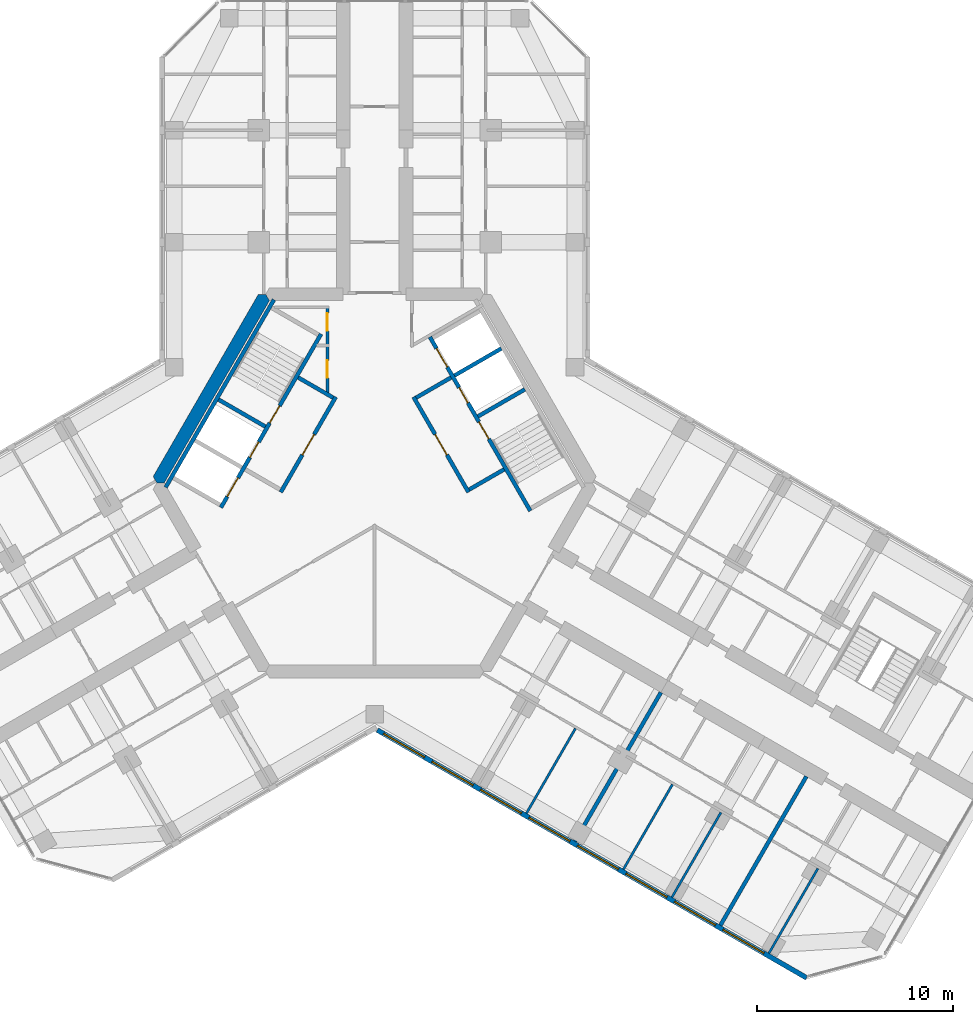
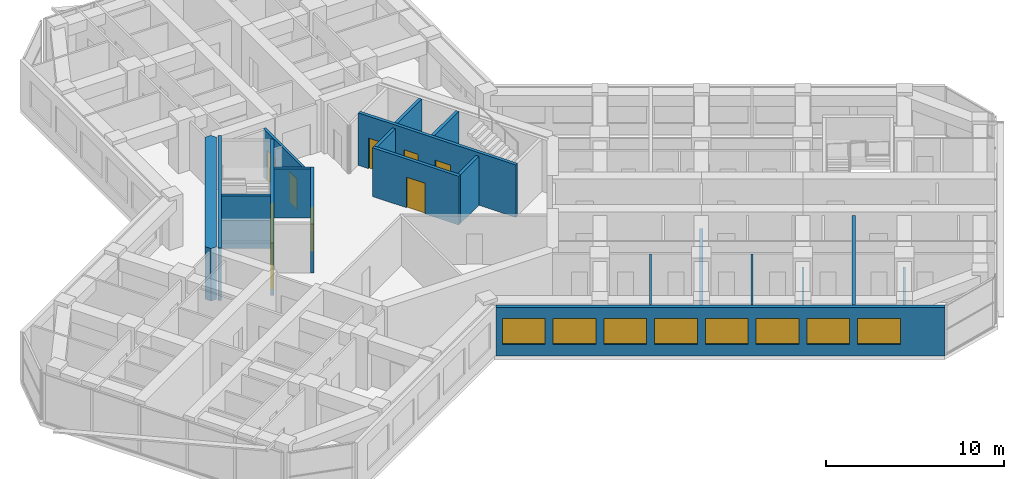
# One storey, part 10 of 16: 20 walls, 10 doors, 8 windows, 18 openings.
"""IFC4 building model written with IfcOpenShell, lengths in metres."""

from ifc_helpers import new_model, si_unit, direction, frame, frame_2d, origin, place, context, subcontext, project, spatial, polyline, rectangle, outline, extrude, material, layer, layer_set, type_object, element, fill, save


model = new_model("IFC4")

# Units and contexts
model_context = context("Model", 3, precision=1e-05, world=origin(), true_north=direction((0.0, 1.0)))
body_context = subcontext(model_context, "Body", "Model", "MODEL_VIEW")
ifc_project = project(units=[si_unit("LENGTHUNIT", "METRE"), si_unit("AREAUNIT", "SQUARE_METRE"), si_unit("VOLUMEUNIT", "CUBIC_METRE"), si_unit("PLANEANGLEUNIT", "RADIAN"), si_unit("MASSUNIT", "GRAM", prefix="KILO")], contexts=[model_context])

# Site, building, storey
site_placement = place(None, origin())
site = spatial("IfcSite", under=ifc_project, at=site_placement, CompositionType="ELEMENT")
building_placement = place(site_placement, origin())
building = spatial("IfcBuilding", under=site, at=building_placement, Name="Kosmar Iwan School Tower", CompositionType="ELEMENT")
storey_placement = place(building_placement, frame((0.0, 0.0, 201.0)))
storey = spatial("IfcBuildingStorey", under=building, at=storey_placement, Name="L50", CompositionType="ELEMENT", Elevation=201.0)

# Wall, openings, doors
ifc_material_1 = material(Name="Gypsum board on steel studs, fire-rated", Category="steel")
ifc_layer_1 = layer(ifc_material_1, 0.14990234375)
ifc_layer_set_1 = layer_set([ifc_layer_1], Name="Core room partition 150")
wall_type_1 = type_object("IfcWallType", Name="Core room partition 150", PredefinedType="PARTITIONING", material=ifc_layer_set_1)
wall_1_placement = place(storey_placement, frame((-2.39990234375, 9.014892578125, 0.0), z_axis=(0.0, 0.0, 1.0), x_axis=(0.0, -1.0, 0.0)))
wall_1 = element("IfcWall", 1, at=wall_1_placement, inside=storey, type_object=wall_type_1, Name="Core room partition L50-CW1", PredefinedType="PARTITIONING", context=body_context, shape_type="SweptSolid", body=[
    extrude(rectangle(XDim=4.484130859375, YDim=0.14990234375, at=frame_2d((2.2421875, 0.0))), origin(), (0.0, 0.0, 1.0), 3.35009765625),
])
opening_1_placement = place(wall_1_placement, frame((0.375, 0.0, 0.0)))
opening_1 = element("IfcOpeningElement", 2, at=opening_1_placement, cuts=wall_1, Name="Opening D14", PredefinedType="OPENING", context=body_context, shape_type="SweptSolid", body=[
    extrude(rectangle(XDim=0.89990234375, YDim=2.10009765625, at=frame_2d((0.449951171875, 1.050048828125))), frame((0.0, 0.0869140625, 0.0), z_axis=(0.0, -1.0, 0.0), x_axis=(1.0, 0.0, 0.0)), (0.0, 0.0, 1.0), 0.173828125),
])
opening_2_placement = place(wall_1_placement, frame((2.77490234375, 0.0, 0.0)))
opening_2 = element("IfcOpeningElement", 3, at=opening_2_placement, cuts=wall_1, Name="Opening D14", PredefinedType="OPENING", context=body_context, shape_type="SweptSolid", body=[
    extrude(rectangle(XDim=0.89990234375, YDim=2.10009765625, at=frame_2d((0.449951171875, 1.050048828125))), frame((0.0, 0.0869140625, 0.0), z_axis=(0.0, -1.0, 0.0), x_axis=(1.0, 0.0, 0.0)), (0.0, 0.0, 1.0), 0.173828125),
])
ifc_material_2 = material(Name="Timber fire door in steel frame", Category="steel")
door_type_1 = type_object("IfcDoorType", Name="Core room door 900x2100", OperationType="SINGLE_SWING_LEFT", PredefinedType="DOOR", material=ifc_material_2)
door_1_placement = place(opening_1_placement, origin())
door_1 = element("IfcDoor", 4, at=door_1_placement, inside=storey, type_object=door_type_1, Name="Electrical riser and switch room door L50 1", OperationType="SINGLE_SWING_LEFT", OverallHeight=2.10009765625, OverallWidth=0.89990234375, PredefinedType="DOOR", context=body_context, shape_type="SweptSolid", body=[
    extrude(rectangle(XDim=0.89990234375, YDim=2.10009765625, at=frame_2d((0.449951171875, 1.050048828125))), frame((0.0, 0.02490234375, 0.0), z_axis=(0.0, -1.0, 0.0), x_axis=(1.0, 0.0, 0.0)), (0.0, 0.0, 1.0), 0.050048828125),
])
fill(opening_1, door_1)
door_2_placement = place(opening_2_placement, origin())
door_2 = element("IfcDoor", 5, at=door_2_placement, inside=storey, type_object=door_type_1, Name="Plumbing and wet riser door L50 2", OperationType="SINGLE_SWING_RIGHT", OverallHeight=2.10009765625, OverallWidth=0.89990234375, PredefinedType="DOOR", context=body_context, shape_type="SweptSolid", body=[
    extrude(rectangle(XDim=0.89990234375, YDim=2.10009765625, at=frame_2d((0.449951171875, 1.050048828125))), frame((0.0, 0.02490234375, 0.0), z_axis=(0.0, -1.0, 0.0), x_axis=(1.0, 0.0, 0.0)), (0.0, 0.0, 1.0), 0.050048828125),
])
fill(opening_2, door_2)

# Walls
ifc_material_3 = material(Name="Concrete C50/60", Category="concrete")
ifc_layer_2 = layer(ifc_material_3, 0.64990234375)
ifc_layer_set_2 = layer_set([ifc_layer_2], Name="Core wall 650")
wall_type_2 = type_object("IfcWallType", Name="Core wall 650", PredefinedType="SHEAR", material=ifc_layer_set_2)
wall_2_placement = place(storey_placement, origin())
element("IfcWall", 6, at=wall_2_placement, inside=storey, type_object=wall_type_2, Name="Core wall F150", PredefinedType="SHEAR", context=body_context, shape_type="SweptSolid", body=[
    extrude(outline(polyline([(-11.085205078125, 0.0), (-10.7099609375, 0.0), (-5.35498046875, 9.27490234375), (-5.54248046875, 9.60009765625), (-5.917724609375, 9.60009765625), (-11.272705078125, 0.324951171875), (-11.085205078125, 0.0)])), origin(), (0.0, 0.0, 1.0), 3.60009765625),
])
ifc_material_4 = material(Name="Gypsum board on steel studs", Category="steel")
ifc_layer_3 = layer(ifc_material_4, 0.1201171875)
ifc_layer_set_3 = layer_set([ifc_layer_3], Name="Dwelling partition 120")
wall_type_3 = type_object("IfcWallType", Name="Dwelling partition 120", PredefinedType="PARTITIONING", material=ifc_layer_set_3)
wall_3_placement = place(storey_placement, frame((10.221923828125, -12.4951171875, 0.0), z_axis=(0.0, 0.0, 1.0), x_axis=(-0.499996339024, -0.86602751744, 0.0)))
element("IfcWall", 7, at=wall_3_placement, inside=storey, type_object=wall_type_3, Name="Partition L50-CR1-X2", PredefinedType="PARTITIONING", context=body_context, shape_type="SweptSolid", body=[
    extrude(rectangle(XDim=4.98974609375, YDim=0.1201171875, at=frame_2d((2.494873046875, 0.0))), origin(), (0.0, 0.0, 1.0), 3.35009765625),
])
wall_4_placement = place(storey_placement, frame((15.158447265625, -15.344970703125, 0.0), z_axis=(0.0, 0.0, 1.0), x_axis=(-0.500011847778, -0.866018563358, 0.0)))
element("IfcWall", 8, at=wall_4_placement, inside=storey, type_object=wall_type_3, Name="Partition L50-CR2-X1", PredefinedType="PARTITIONING", context=body_context, shape_type="SweptSolid", body=[
    extrude(rectangle(XDim=4.990234375, YDim=0.1201171875, at=frame_2d((2.4951171875, 0.0))), origin(), (0.0, 0.0, 1.0), 3.35009765625),
])
wall_5_placement = place(storey_placement, frame((17.62646484375, -16.77001953125, 0.0), z_axis=(0.0, 0.0, 1.0), x_axis=(-0.499975153383, -0.86603974851, 0.0)))
element("IfcWall", 9, at=wall_5_placement, inside=storey, type_object=wall_type_3, Name="Partition L50-CR2-X2", PredefinedType="PARTITIONING", context=body_context, shape_type="SweptSolid", body=[
    extrude(rectangle(XDim=4.989990234375, YDim=0.1201171875, at=frame_2d((2.4951171875, 0.0))), origin(), (0.0, 0.0, 1.0), 2.449951171875),
])
wall_6_placement = place(storey_placement, frame((22.562744140625, -19.6201171875, 0.0), z_axis=(0.0, 0.0, 1.0), x_axis=(-0.499996339024, -0.86602751744, 0.0)))
element("IfcWall", 10, at=wall_6_placement, inside=storey, type_object=wall_type_3, Name="Partition L50-CR3-X1", PredefinedType="PARTITIONING", context=body_context, shape_type="SweptSolid", body=[
    extrude(rectangle(XDim=4.98974609375, YDim=0.1201171875, at=frame_2d((2.494873046875, 0.0))), origin(), (0.0, 0.0, 1.0), 2.449951171875),
])

# Wall, openings, windows
ifc_material_5 = material(Name="Black aluminium rainscreen on insulated framing", Category="aluminium")
ifc_layer_4 = layer(ifc_material_5, 0.25)
ifc_layer_set_4 = layer_set([ifc_layer_4], Name="External wall rainscreen 250")
wall_type_4 = type_object("IfcWallType", Name="External wall rainscreen 250", PredefinedType="SOLIDWALL", material=ifc_layer_set_4)
wall_7_placement = place(storey_placement, frame((0.137939453125, -12.5791015625, 0.0), z_axis=(0.0, 0.0, 1.0), x_axis=(0.866023775649, -0.500002820003, 0.0)))
wall_7 = element("IfcWall", 11, at=wall_7_placement, inside=storey, type_object=wall_type_4, Name="External wall CR L50", PredefinedType="SOLIDWALL", context=body_context, shape_type="SweptSolid", body=[
    extrude(rectangle(XDim=25.226318359375, YDim=0.25, at=frame_2d((12.61328125, 0.0))), origin(), (0.0, 0.0, 1.0), 3.35009765625),
])
opening_3_placement = place(wall_7_placement, frame((0.365966796875, 0.0, 0.800048828125)))
opening_3 = element("IfcOpeningElement", 12, at=opening_3_placement, cuts=wall_7, Name="Opening W5", PredefinedType="OPENING", context=body_context, shape_type="SweptSolid", body=[
    extrude(rectangle(XDim=2.39990234375, YDim=1.800048828125, at=frame_2d((1.199951171875, 0.89990234375))), frame((0.0, 0.136962890625, 0.0), z_axis=(0.0, -1.0, 0.0), x_axis=(1.0, 0.0, 0.0)), (0.0, 0.0, 1.0), 0.27392578125),
])
opening_4_placement = place(wall_7_placement, frame((3.216064453125, 0.0, 0.800048828125)))
opening_4 = element("IfcOpeningElement", 13, at=opening_4_placement, cuts=wall_7, Name="Opening W5", PredefinedType="OPENING", context=body_context, shape_type="SweptSolid", body=[
    extrude(rectangle(XDim=2.39990234375, YDim=1.800048828125, at=frame_2d((1.199951171875, 0.89990234375))), frame((0.0, 0.136962890625, 0.0), z_axis=(0.0, -1.0, 0.0), x_axis=(1.0, 0.0, 0.0)), (0.0, 0.0, 1.0), 0.27392578125),
])
opening_5_placement = place(wall_7_placement, frame((6.06591796875, 0.0, 0.800048828125)))
opening_5 = element("IfcOpeningElement", 14, at=opening_5_placement, cuts=wall_7, Name="Opening W5", PredefinedType="OPENING", context=body_context, shape_type="SweptSolid", body=[
    extrude(rectangle(XDim=2.39990234375, YDim=1.800048828125, at=frame_2d((1.199951171875, 0.89990234375))), frame((0.0, 0.136962890625, 0.0), z_axis=(0.0, -1.0, 0.0), x_axis=(1.0, 0.0, 0.0)), (0.0, 0.0, 1.0), 0.27392578125),
])
opening_6_placement = place(wall_7_placement, frame((8.916015625, 0.0, 0.800048828125)))
opening_6 = element("IfcOpeningElement", 15, at=opening_6_placement, cuts=wall_7, Name="Opening W5", PredefinedType="OPENING", context=body_context, shape_type="SweptSolid", body=[
    extrude(rectangle(XDim=2.39990234375, YDim=1.800048828125, at=frame_2d((1.199951171875, 0.89990234375))), frame((0.0, 0.136962890625, 0.0), z_axis=(0.0, -1.0, 0.0), x_axis=(1.0, 0.0, 0.0)), (0.0, 0.0, 1.0), 0.27392578125),
])
opening_7_placement = place(wall_7_placement, frame((11.76611328125, 0.0, 0.800048828125)))
opening_7 = element("IfcOpeningElement", 16, at=opening_7_placement, cuts=wall_7, Name="Opening W5", PredefinedType="OPENING", context=body_context, shape_type="SweptSolid", body=[
    extrude(rectangle(XDim=2.39990234375, YDim=1.800048828125, at=frame_2d((1.199951171875, 0.89990234375))), frame((0.0, 0.136962890625, 0.0), z_axis=(0.0, -1.0, 0.0), x_axis=(1.0, 0.0, 0.0)), (0.0, 0.0, 1.0), 0.27392578125),
])
opening_8_placement = place(wall_7_placement, frame((14.615966796875, 0.0, 0.800048828125)))
opening_8 = element("IfcOpeningElement", 17, at=opening_8_placement, cuts=wall_7, Name="Opening W5", PredefinedType="OPENING", context=body_context, shape_type="SweptSolid", body=[
    extrude(rectangle(XDim=2.39990234375, YDim=1.800048828125, at=frame_2d((1.199951171875, 0.89990234375))), frame((0.0, 0.136962890625, 0.0), z_axis=(0.0, -1.0, 0.0), x_axis=(1.0, 0.0, 0.0)), (0.0, 0.0, 1.0), 0.27392578125),
])
opening_9_placement = place(wall_7_placement, frame((17.466064453125, 0.0, 0.800048828125)))
opening_9 = element("IfcOpeningElement", 18, at=opening_9_placement, cuts=wall_7, Name="Opening W5", PredefinedType="OPENING", context=body_context, shape_type="SweptSolid", body=[
    extrude(rectangle(XDim=2.39990234375, YDim=1.800048828125, at=frame_2d((1.199951171875, 0.89990234375))), frame((0.0, 0.136962890625, 0.0), z_axis=(0.0, -1.0, 0.0), x_axis=(1.0, 0.0, 0.0)), (0.0, 0.0, 1.0), 0.27392578125),
])
opening_10_placement = place(wall_7_placement, frame((20.31591796875, 0.0, 0.800048828125)))
opening_10 = element("IfcOpeningElement", 19, at=opening_10_placement, cuts=wall_7, Name="Opening W5", PredefinedType="OPENING", context=body_context, shape_type="SweptSolid", body=[
    extrude(rectangle(XDim=2.39990234375, YDim=1.800048828125, at=frame_2d((1.199951171875, 0.89990234375))), frame((0.0, 0.136962890625, 0.0), z_axis=(0.0, -1.0, 0.0), x_axis=(1.0, 0.0, 0.0)), (0.0, 0.0, 1.0), 0.27392578125),
])
ifc_material_6 = material(Name="Black aluminium frame with dark triple glazing", Category="aluminium")
window_type = type_object("IfcWindowType", Name="Window 2400x1800", PartitioningType="SINGLE_PANEL", PredefinedType="WINDOW", material=ifc_material_6)
window_1_placement = place(opening_3_placement, origin())
window_1 = element("IfcWindow", 20, at=window_1_placement, inside=storey, type_object=window_type, Name="Window CR L50 -1", OverallHeight=1.800048828125, OverallWidth=2.39990234375, PartitioningType="SINGLE_PANEL", PredefinedType="WINDOW", context=body_context, shape_type="SweptSolid", body=[
    extrude(rectangle(XDim=2.39990234375, YDim=1.800048828125, at=frame_2d((1.199951171875, 0.89990234375))), frame((0.0, 0.030029296875, 0.0), z_axis=(0.0, -1.0, 0.0), x_axis=(1.0, 0.0, 0.0)), (0.0, 0.0, 1.0), 0.06005859375),
])
fill(opening_3, window_1)
window_2_placement = place(opening_4_placement, origin())
window_2 = element("IfcWindow", 21, at=window_2_placement, inside=storey, type_object=window_type, Name="Window CR L50 0", OverallHeight=1.800048828125, OverallWidth=2.39990234375, PartitioningType="SINGLE_PANEL", PredefinedType="WINDOW", context=body_context, shape_type="SweptSolid", body=[
    extrude(rectangle(XDim=2.39990234375, YDim=1.800048828125, at=frame_2d((1.199951171875, 0.89990234375))), frame((0.0, 0.030029296875, 0.0), z_axis=(0.0, -1.0, 0.0), x_axis=(1.0, 0.0, 0.0)), (0.0, 0.0, 1.0), 0.06005859375),
])
fill(opening_4, window_2)
window_3_placement = place(opening_5_placement, origin())
window_3 = element("IfcWindow", 22, at=window_3_placement, inside=storey, type_object=window_type, Name="Window CR L50 1", OverallHeight=1.800048828125, OverallWidth=2.39990234375, PartitioningType="SINGLE_PANEL", PredefinedType="WINDOW", context=body_context, shape_type="SweptSolid", body=[
    extrude(rectangle(XDim=2.39990234375, YDim=1.800048828125, at=frame_2d((1.199951171875, 0.89990234375))), frame((0.0, 0.030029296875, 0.0), z_axis=(0.0, -1.0, 0.0), x_axis=(1.0, 0.0, 0.0)), (0.0, 0.0, 1.0), 0.06005859375),
])
fill(opening_5, window_3)
window_4_placement = place(opening_6_placement, origin())
window_4 = element("IfcWindow", 23, at=window_4_placement, inside=storey, type_object=window_type, Name="Window CR L50 2", OverallHeight=1.800048828125, OverallWidth=2.39990234375, PartitioningType="SINGLE_PANEL", PredefinedType="WINDOW", context=body_context, shape_type="SweptSolid", body=[
    extrude(rectangle(XDim=2.39990234375, YDim=1.800048828125, at=frame_2d((1.199951171875, 0.89990234375))), frame((0.0, 0.030029296875, 0.0), z_axis=(0.0, -1.0, 0.0), x_axis=(1.0, 0.0, 0.0)), (0.0, 0.0, 1.0), 0.06005859375),
])
fill(opening_6, window_4)
window_5_placement = place(opening_7_placement, origin())
window_5 = element("IfcWindow", 24, at=window_5_placement, inside=storey, type_object=window_type, Name="Window CR L50 3", OverallHeight=1.800048828125, OverallWidth=2.39990234375, PartitioningType="SINGLE_PANEL", PredefinedType="WINDOW", context=body_context, shape_type="SweptSolid", body=[
    extrude(rectangle(XDim=2.39990234375, YDim=1.800048828125, at=frame_2d((1.199951171875, 0.89990234375))), frame((0.0, 0.030029296875, 0.0), z_axis=(0.0, -1.0, 0.0), x_axis=(1.0, 0.0, 0.0)), (0.0, 0.0, 1.0), 0.06005859375),
])
fill(opening_7, window_5)
window_6_placement = place(opening_8_placement, origin())
window_6 = element("IfcWindow", 25, at=window_6_placement, inside=storey, type_object=window_type, Name="Window CR L50 4", OverallHeight=1.800048828125, OverallWidth=2.39990234375, PartitioningType="SINGLE_PANEL", PredefinedType="WINDOW", context=body_context, shape_type="SweptSolid", body=[
    extrude(rectangle(XDim=2.39990234375, YDim=1.800048828125, at=frame_2d((1.199951171875, 0.89990234375))), frame((0.0, 0.030029296875, 0.0), z_axis=(0.0, -1.0, 0.0), x_axis=(1.0, 0.0, 0.0)), (0.0, 0.0, 1.0), 0.06005859375),
])
fill(opening_8, window_6)
window_7_placement = place(opening_9_placement, origin())
window_7 = element("IfcWindow", 26, at=window_7_placement, inside=storey, type_object=window_type, Name="Window CR L50 5", OverallHeight=1.800048828125, OverallWidth=2.39990234375, PartitioningType="SINGLE_PANEL", PredefinedType="WINDOW", context=body_context, shape_type="SweptSolid", body=[
    extrude(rectangle(XDim=2.39990234375, YDim=1.800048828125, at=frame_2d((1.199951171875, 0.89990234375))), frame((0.0, 0.030029296875, 0.0), z_axis=(0.0, -1.0, 0.0), x_axis=(1.0, 0.0, 0.0)), (0.0, 0.0, 1.0), 0.06005859375),
])
fill(opening_9, window_7)
window_8_placement = place(opening_10_placement, origin())
window_8 = element("IfcWindow", 27, at=window_8_placement, inside=storey, type_object=window_type, Name="Window CR L50 6", OverallHeight=1.800048828125, OverallWidth=2.39990234375, PartitioningType="SINGLE_PANEL", PredefinedType="WINDOW", context=body_context, shape_type="SweptSolid", body=[
    extrude(rectangle(XDim=2.39990234375, YDim=1.800048828125, at=frame_2d((1.199951171875, 0.89990234375))), frame((0.0, 0.030029296875, 0.0), z_axis=(0.0, -1.0, 0.0), x_axis=(1.0, 0.0, 0.0)), (0.0, 0.0, 1.0), 0.06005859375),
])
fill(opening_10, window_8)

# Wall, opening, door
ifc_material_7 = material(Name="Concrete block masonry", Category="masonry")
ifc_layer_5 = layer(ifc_material_7, 0.199951171875)
ifc_layer_set_5 = layer_set([ifc_layer_5], Name="Fire lobby wall 200")
wall_type_5 = type_object("IfcWallType", Name="Fire lobby wall 200", PredefinedType="PARTITIONING", material=ifc_layer_set_5)
wall_8_placement = place(storey_placement, frame((-1.9775390625, 4.374755859375, 0.0), z_axis=(0.0, 0.0, 1.0), x_axis=(-0.500016814911, -0.866015695474, 0.0)))
wall_8 = element("IfcWall", 28, at=wall_8_placement, inside=storey, type_object=wall_type_5, Name="Firefighting lobby wall ST2", PredefinedType="PARTITIONING", context=body_context, shape_type="SweptSolid", body=[
    extrude(rectangle(XDim=5.599853515625, YDim=0.199951171875, at=frame_2d((2.7998046875, 0.0))), origin(), (0.0, 0.0, 1.0), 3.35009765625),
])
opening_11_placement = place(wall_8_placement, frame((2.199951171875, 0.0, 0.0)))
opening_11 = element("IfcOpeningElement", 29, at=opening_11_placement, cuts=wall_8, Name="Opening D7", PredefinedType="OPENING", context=body_context, shape_type="SweptSolid", body=[
    extrude(rectangle(XDim=1.199951171875, YDim=2.10009765625, at=frame_2d((0.60009765625, 1.050048828125))), frame((0.0, 0.112060546875, 0.0), z_axis=(0.0, -1.0, 0.0), x_axis=(1.0, 0.0, 0.0)), (0.0, 0.0, 1.0), 0.223876953125),
])
ifc_material_8 = material(Name="Steel fire door", Category="steel")
door_type_2 = type_object("IfcDoorType", Name="Fire lobby door 1200x2100", OperationType="SINGLE_SWING_LEFT", PredefinedType="DOOR", material=ifc_material_8)
door_3_placement = place(opening_11_placement, origin())
door_3 = element("IfcDoor", 30, at=door_3_placement, inside=storey, type_object=door_type_2, Name="Firefighting lobby door ST2 L50", OperationType="SINGLE_SWING_RIGHT", OverallHeight=2.10009765625, OverallWidth=1.199951171875, PredefinedType="DOOR", context=body_context, shape_type="SweptSolid", body=[
    extrude(rectangle(XDim=1.199951171875, YDim=2.10009765625, at=frame_2d((0.60009765625, 1.050048828125))), frame((0.0, 0.02490234375, 0.0), z_axis=(0.0, -1.0, 0.0), x_axis=(1.0, 0.0, 0.0)), (0.0, 0.0, 1.0), 0.050048828125),
])
fill(opening_11, door_3)

# Wall
wall_9_placement = place(storey_placement, frame((-2.114013671875, 4.33837890625, 0.0), z_axis=(0.0, 0.0, 1.0), x_axis=(-0.866050731258, 0.499956128963, 0.0)))
element("IfcWall", 31, at=wall_9_placement, inside=storey, type_object=wall_type_5, Name="Firefighting lobby wall ST2", PredefinedType="PARTITIONING", context=body_context, shape_type="SweptSolid", body=[
    extrude(rectangle(XDim=2.050048828125, YDim=0.199951171875, at=frame_2d((1.02490234375, 0.0))), origin(), (0.0, 0.0, 1.0), 3.35009765625),
])

# Wall, opening, door
wall_10_placement = place(storey_placement, frame((4.777587890625, -0.474853515625, 0.0), z_axis=(0.0, 0.0, 1.0), x_axis=(-0.500016814911, 0.866015695474, 0.0)))
wall_10 = element("IfcWall", 32, at=wall_10_placement, inside=storey, type_object=wall_type_5, Name="Firefighting lobby wall ST1", PredefinedType="PARTITIONING", context=body_context, shape_type="SweptSolid", body=[
    extrude(rectangle(XDim=5.599853515625, YDim=0.199951171875, at=frame_2d((2.7998046875, 0.0))), origin(), (0.0, 0.0, 1.0), 3.35009765625),
])
opening_12_placement = place(wall_10_placement, frame((2.199951171875, 0.0, 0.0)))
opening_12 = element("IfcOpeningElement", 33, at=opening_12_placement, cuts=wall_10, Name="Opening D7", PredefinedType="OPENING", context=body_context, shape_type="SweptSolid", body=[
    extrude(rectangle(XDim=1.199951171875, YDim=2.10009765625, at=frame_2d((0.60009765625, 1.050048828125))), frame((0.0, 0.112060546875, 0.0), z_axis=(0.0, -1.0, 0.0), x_axis=(1.0, 0.0, 0.0)), (0.0, 0.0, 1.0), 0.223876953125),
])
door_4_placement = place(opening_12_placement, origin())
door_4 = element("IfcDoor", 34, at=door_4_placement, inside=storey, type_object=door_type_2, Name="Firefighting lobby door ST1 L50", OperationType="SINGLE_SWING_RIGHT", OverallHeight=2.10009765625, OverallWidth=1.199951171875, PredefinedType="DOOR", context=body_context, shape_type="SweptSolid", body=[
    extrude(rectangle(XDim=1.199951171875, YDim=2.10009765625, at=frame_2d((0.60009765625, 1.050048828125))), frame((0.0, 0.02490234375, 0.0), z_axis=(0.0, -1.0, 0.0), x_axis=(1.0, 0.0, 0.0)), (0.0, 0.0, 1.0), 0.050048828125),
])
fill(opening_12, door_4)

# Walls
wall_11_placement = place(storey_placement, frame((4.814208984375, -0.33837890625, 0.0), z_axis=(0.0, 0.0, 1.0), x_axis=(0.865969381856, 0.500097020274, 0.0)))
element("IfcWall", 35, at=wall_11_placement, inside=storey, type_object=wall_type_5, Name="Firefighting lobby wall ST1", PredefinedType="PARTITIONING", context=body_context, shape_type="SweptSolid", body=[
    extrude(rectangle(XDim=2.0498046875, YDim=0.199951171875, at=frame_2d((1.02490234375, 0.0))), origin(), (0.0, 0.0, 1.0), 3.35009765625),
])
wall_12_placement = place(storey_placement, frame((2.114013671875, 4.33837890625, 0.0), z_axis=(0.0, 0.0, 1.0), x_axis=(0.866050731258, 0.499956128963, 0.0)))
element("IfcWall", 36, at=wall_12_placement, inside=storey, type_object=wall_type_5, Name="Firefighting lobby wall ST1", PredefinedType="PARTITIONING", context=body_context, shape_type="SweptSolid", body=[
    extrude(rectangle(XDim=2.050048828125, YDim=0.199951171875, at=frame_2d((1.02490234375, 0.0))), origin(), (0.0, 0.0, 1.0), 3.35009765625),
])

# Wall, openings, doors
ifc_material_9 = material(Name="Concrete C50/60", Category="concrete")
ifc_layer_6 = layer(ifc_material_9, 0.199951171875)
ifc_layer_set_6 = layer_set([ifc_layer_6], Name="Lift shaft wall 200")
wall_type_6 = type_object("IfcWallType", Name="Lift shaft wall 200", PredefinedType="SHEAR", material=ifc_layer_set_6)
wall_13_placement = place(storey_placement, frame((-2.72607421875, 7.578369140625, 0.0), z_axis=(0.0, 0.0, 1.0), x_axis=(-0.500005610874, -0.86602216432, 0.0)))
wall_13 = element("IfcWall", 37, at=wall_13_placement, inside=storey, type_object=wall_type_6, Name="Lift and stair front wall AB", PredefinedType="SHEAR", context=body_context, shape_type="SweptSolid", body=[
    extrude(rectangle(XDim=10.2001953125, YDim=0.199951171875, at=frame_2d((5.10009765625, 0.0))), origin(), (0.0, 0.0, 1.0), 3.60009765625),
])
opening_13_placement = place(wall_13_placement, frame((6.35009765625, 0.0, 0.0)))
opening_13 = element("IfcOpeningElement", 38, at=opening_13_placement, cuts=wall_13, Name="Opening LD2", PredefinedType="OPENING", context=body_context, shape_type="SweptSolid", body=[
    extrude(rectangle(XDim=0.89990234375, YDim=2.10009765625, at=frame_2d((0.449951171875, 1.050048828125))), frame((0.0, 0.112060546875, 0.0), z_axis=(0.0, -1.0, 0.0), x_axis=(1.0, 0.0, 0.0)), (0.0, 0.0, 1.0), 0.223876953125),
])
opening_14_placement = place(wall_13_placement, frame((8.449951171875, 0.0, 0.0)))
opening_14 = element("IfcOpeningElement", 39, at=opening_14_placement, cuts=wall_13, Name="Opening LD1", PredefinedType="OPENING", context=body_context, shape_type="SweptSolid", body=[
    extrude(rectangle(XDim=1.10009765625, YDim=2.10009765625, at=frame_2d((0.550048828125, 1.050048828125))), frame((0.0, 0.112060546875, 0.0), z_axis=(0.0, -1.0, 0.0), x_axis=(1.0, 0.0, 0.0)), (0.0, 0.0, 1.0), 0.223876953125),
])
opening_15_placement = place(wall_13_placement, frame((4.22998046875, 0.0, 0.0)))
opening_15 = element("IfcOpeningElement", 40, at=opening_15_placement, cuts=wall_13, Name="Opening D6", PredefinedType="OPENING", context=body_context, shape_type="SweptSolid", body=[
    extrude(rectangle(XDim=1.0, YDim=2.10009765625, at=frame_2d((0.5, 1.050048828125))), frame((0.0, 0.112060546875, 0.0), z_axis=(0.0, -1.0, 0.0), x_axis=(1.0, 0.0, 0.0)), (0.0, 0.0, 1.0), 0.223876953125),
])
ifc_material_10 = material(Name="Stainless steel sliding lift door", Category="steel")
door_type_3 = type_object("IfcDoorType", Name="Firefighting lift landing door 900x2100", OperationType="SLIDING_TO_LEFT", PredefinedType="DOOR", material=ifc_material_10)
door_5_placement = place(opening_13_placement, origin())
door_5 = element("IfcDoor", 41, at=door_5_placement, inside=storey, type_object=door_type_3, Name="Lift FF2 landing door L50", OperationType="SLIDING_TO_LEFT", OverallHeight=2.10009765625, OverallWidth=0.89990234375, PredefinedType="DOOR", context=body_context, shape_type="SweptSolid", body=[
    extrude(rectangle(XDim=0.89990234375, YDim=2.10009765625, at=frame_2d((0.449951171875, 1.050048828125))), frame((0.0, 0.02490234375, 0.0), z_axis=(0.0, -1.0, 0.0), x_axis=(1.0, 0.0, 0.0)), (0.0, 0.0, 1.0), 0.050048828125),
])
fill(opening_13, door_5)
ifc_material_11 = material(Name="Stainless steel sliding lift door", Category="steel")
door_type_4 = type_object("IfcDoorType", Name="Lift landing door 1100x2100", OperationType="SLIDING_TO_LEFT", PredefinedType="DOOR", material=ifc_material_11)
door_6_placement = place(opening_14_placement, origin())
door_6 = element("IfcDoor", 42, at=door_6_placement, inside=storey, type_object=door_type_4, Name="Lift PL6 landing door L50", OperationType="SLIDING_TO_LEFT", OverallHeight=2.10009765625, OverallWidth=1.10009765625, PredefinedType="DOOR", context=body_context, shape_type="SweptSolid", body=[
    extrude(rectangle(XDim=1.10009765625, YDim=2.10009765625, at=frame_2d((0.550048828125, 1.050048828125))), frame((0.0, 0.02490234375, 0.0), z_axis=(0.0, -1.0, 0.0), x_axis=(1.0, 0.0, 0.0)), (0.0, 0.0, 1.0), 0.050048828125),
])
fill(opening_14, door_6)
ifc_material_12 = material(Name="Steel fire door", Category="steel")
door_type_5 = type_object("IfcDoorType", Name="Stair door 1000x2100", OperationType="SINGLE_SWING_LEFT", PredefinedType="DOOR", material=ifc_material_12)
door_7_placement = place(opening_15_placement, origin())
door_7 = element("IfcDoor", 43, at=door_7_placement, inside=storey, type_object=door_type_5, Name="Stair ST2 door L50", OperationType="SINGLE_SWING_LEFT", OverallHeight=2.10009765625, OverallWidth=1.0, PredefinedType="DOOR", context=body_context, shape_type="SweptSolid", body=[
    extrude(rectangle(XDim=1.0, YDim=2.10009765625, at=frame_2d((0.5, 1.050048828125))), frame((0.0, 0.02490234375, 0.0), z_axis=(0.0, -1.0, 0.0), x_axis=(1.0, 0.0, 0.0)), (0.0, 0.0, 1.0), 0.050048828125),
])
fill(opening_15, door_7)

# Wall
wall_14_placement = place(storey_placement, frame((-5.1240234375, 9.324951171875, 0.0), z_axis=(0.0, 0.0, 1.0), x_axis=(-0.49999650507, -0.866027421574, 0.0)))
element("IfcWall", 44, at=wall_14_placement, inside=storey, type_object=wall_type_6, Name="Lift and stair back wall AB", PredefinedType="SHEAR", context=body_context, shape_type="SweptSolid", body=[
    extrude(rectangle(XDim=11.02734375, YDim=0.199951171875, at=frame_2d((5.513671875, 0.0))), origin(), (0.0, 0.0, 1.0), 3.60009765625),
])

# Wall, openings, doors
wall_15_placement = place(storey_placement, frame((7.926025390625, -1.42822265625, 0.0), z_axis=(0.0, 0.0, 1.0), x_axis=(-0.50000905659, 0.866020174897, 0.0)))
wall_15 = element("IfcWall", 45, at=wall_15_placement, inside=storey, type_object=wall_type_6, Name="Lift and stair front wall AC", PredefinedType="SHEAR", context=body_context, shape_type="SweptSolid", body=[
    extrude(rectangle(XDim=10.224853515625, YDim=0.199951171875, at=frame_2d((5.1123046875, 0.0))), origin(), (0.0, 0.0, 1.0), 3.60009765625),
])
opening_16_placement = place(wall_15_placement, frame((6.35009765625, 0.0, 0.0)))
opening_16 = element("IfcOpeningElement", 46, at=opening_16_placement, cuts=wall_15, Name="Opening LD2", PredefinedType="OPENING", context=body_context, shape_type="SweptSolid", body=[
    extrude(rectangle(XDim=0.89990234375, YDim=2.10009765625, at=frame_2d((0.449951171875, 1.050048828125))), frame((0.0, 0.112060546875, 0.0), z_axis=(0.0, -1.0, 0.0), x_axis=(1.0, 0.0, 0.0)), (0.0, 0.0, 1.0), 0.223876953125),
])
opening_17_placement = place(wall_15_placement, frame((8.449951171875, 0.0, 0.0)))
opening_17 = element("IfcOpeningElement", 47, at=opening_17_placement, cuts=wall_15, Name="Opening LD1", PredefinedType="OPENING", context=body_context, shape_type="SweptSolid", body=[
    extrude(rectangle(XDim=1.10009765625, YDim=2.10009765625, at=frame_2d((0.550048828125, 1.050048828125))), frame((0.0, 0.112060546875, 0.0), z_axis=(0.0, -1.0, 0.0), x_axis=(1.0, 0.0, 0.0)), (0.0, 0.0, 1.0), 0.223876953125),
])
opening_18_placement = place(wall_15_placement, frame((4.22998046875, 0.0, 0.0)))
opening_18 = element("IfcOpeningElement", 48, at=opening_18_placement, cuts=wall_15, Name="Opening D6", PredefinedType="OPENING", context=body_context, shape_type="SweptSolid", body=[
    extrude(rectangle(XDim=1.0, YDim=2.10009765625, at=frame_2d((0.5, 1.050048828125))), frame((0.0, 0.112060546875, 0.0), z_axis=(0.0, -1.0, 0.0), x_axis=(1.0, 0.0, 0.0)), (0.0, 0.0, 1.0), 0.223876953125),
])
door_8_placement = place(opening_16_placement, origin())
door_8 = element("IfcDoor", 49, at=door_8_placement, inside=storey, type_object=door_type_3, Name="Lift FF1 landing door L50", OperationType="SLIDING_TO_LEFT", OverallHeight=2.10009765625, OverallWidth=0.89990234375, PredefinedType="DOOR", context=body_context, shape_type="SweptSolid", body=[
    extrude(rectangle(XDim=0.89990234375, YDim=2.10009765625, at=frame_2d((0.449951171875, 1.050048828125))), frame((0.0, 0.02490234375, 0.0), z_axis=(0.0, -1.0, 0.0), x_axis=(1.0, 0.0, 0.0)), (0.0, 0.0, 1.0), 0.050048828125),
])
fill(opening_16, door_8)
door_9_placement = place(opening_17_placement, origin())
door_9 = element("IfcDoor", 50, at=door_9_placement, inside=storey, type_object=door_type_4, Name="Lift PL5 landing door L50", OperationType="SLIDING_TO_LEFT", OverallHeight=2.10009765625, OverallWidth=1.10009765625, PredefinedType="DOOR", context=body_context, shape_type="SweptSolid", body=[
    extrude(rectangle(XDim=1.10009765625, YDim=2.10009765625, at=frame_2d((0.550048828125, 1.050048828125))), frame((0.0, 0.02490234375, 0.0), z_axis=(0.0, -1.0, 0.0), x_axis=(1.0, 0.0, 0.0)), (0.0, 0.0, 1.0), 0.050048828125),
])
fill(opening_17, door_9)
door_10_placement = place(opening_18_placement, origin())
door_10 = element("IfcDoor", 51, at=door_10_placement, inside=storey, type_object=door_type_5, Name="Stair ST1 door L50", OperationType="SINGLE_SWING_LEFT", OverallHeight=2.10009765625, OverallWidth=1.0, PredefinedType="DOOR", context=body_context, shape_type="SweptSolid", body=[
    extrude(rectangle(XDim=1.0, YDim=2.10009765625, at=frame_2d((0.5, 1.050048828125))), frame((0.0, 0.02490234375, 0.0), z_axis=(0.0, -1.0, 0.0), x_axis=(1.0, 0.0, 0.0)), (0.0, 0.0, 1.0), 0.050048828125),
])
fill(opening_18, door_10)

# Walls
wall_16_placement = place(storey_placement, frame((4.062744140625, 5.46337890625, 0.0), z_axis=(0.0, 0.0, 1.0), x_axis=(0.866027397988, 0.499996545922, 0.0)))
element("IfcWall", 52, at=wall_16_placement, inside=storey, type_object=wall_type_6, Name="Lift shaft wall AC 1", PredefinedType="SHEAR", context=body_context, shape_type="SweptSolid", body=[
    extrude(rectangle(XDim=2.75, YDim=0.199951171875, at=frame_2d((1.375, 0.0))), origin(), (0.0, 0.0, 1.0), 3.60009765625),
])
ifc_material_13 = material(Name="Concrete block masonry", Category="masonry")
ifc_layer_7 = layer(ifc_material_13, 0.199951171875)
ifc_layer_set_7 = layer_set([ifc_layer_7], Name="Party wall 200")
wall_type_7 = type_object("IfcWallType", Name="Party wall 200", PredefinedType="PARTITIONING", material=ifc_layer_set_7)
wall_17_placement = place(storey_placement, frame((14.570068359375, -10.663818359375, 0.0), z_axis=(0.0, 0.0, 1.0), x_axis=(-0.500004234368, -0.866022959057, 0.0)))
element("IfcWall", 53, at=wall_17_placement, inside=storey, type_object=wall_type_7, Name="Partition L50-CR2-PW", PredefinedType="PARTITIONING", context=body_context, shape_type="SweptSolid", body=[
    extrude(rectangle(XDim=8.75, YDim=0.199951171875, at=frame_2d((4.375, 0.0))), origin(), (0.0, 0.0, 1.0), 2.449951171875),
])
wall_18_placement = place(storey_placement, frame((21.974609375, -14.938720703125, 0.0), z_axis=(0.0, 0.0, 1.0), x_axis=(-0.499992152613, -0.866029934428, 0.0)))
element("IfcWall", 54, at=wall_18_placement, inside=storey, type_object=wall_type_7, Name="Partition L50-CR3-PW", PredefinedType="PARTITIONING", context=body_context, shape_type="SweptSolid", body=[
    extrude(rectangle(XDim=8.750244140625, YDim=0.199951171875, at=frame_2d((4.375, 0.0))), origin(), (0.0, 0.0, 1.0), 3.35009765625),
])
ifc_material_14 = material(Name="Concrete C50/60", Category="concrete")
ifc_layer_8 = layer(ifc_material_14, 0.199951171875)
ifc_layer_set_8 = layer_set([ifc_layer_8], Name="Stair enclosure wall 200")
wall_type_8 = type_object("IfcWallType", Name="Stair enclosure wall 200", PredefinedType="SHEAR", material=ifc_layer_set_8)
for number, where, z_axis, x_axis, name in (
    (55, (-5.562744140625, 2.865234375, 0.0), (0.0, 0.0, 1.0), (-0.866027397988, 0.499996545922, 0.0), "Stair ST2 wall"),
    (56, (5.2626953125, 3.384765625, 0.0), (0.0, 0.0, 1.0), (0.866027397988, 0.499996545922, 0.0), "Stair ST1 wall"),
):
    element("IfcWall", number, at=place(storey_placement, frame(where, z_axis=z_axis, x_axis=x_axis)), inside=storey, type_object=wall_type_8, Name=name, PredefinedType="SHEAR", context=body_context, shape_type="SweptSolid", body=[
        extrude(rectangle(XDim=2.75, YDim=0.199951171875, at=frame_2d((1.375, 0.0))), origin(), (0.0, 0.0, 1.0), 3.60009765625),
    ])

save(model, "model.ifc")
